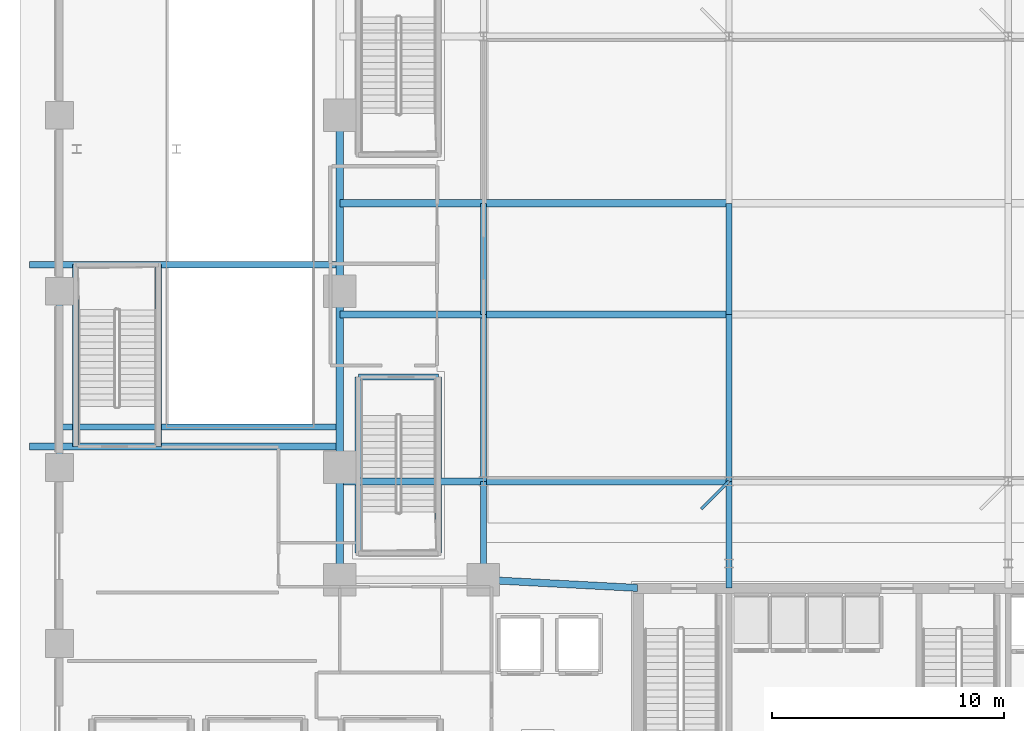
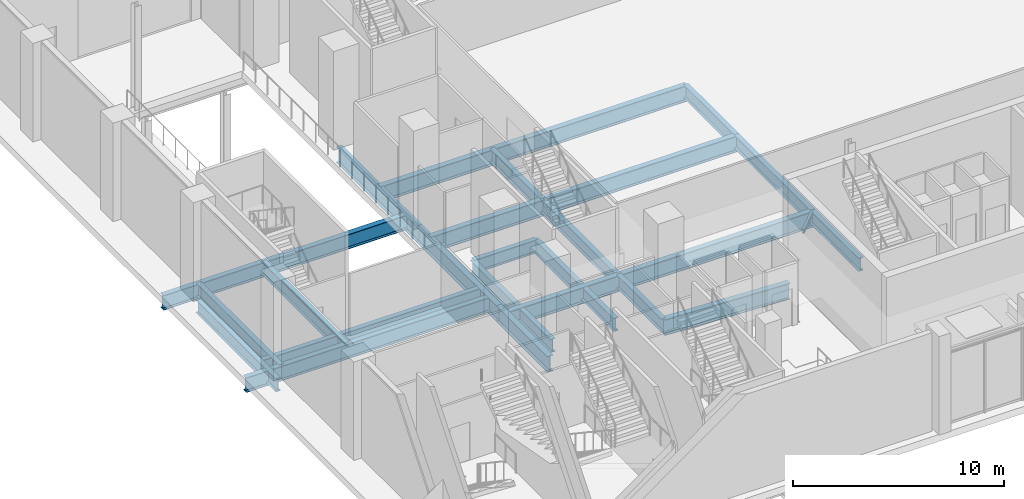
# One storey, part 7 of 36: 26 beams.
"""IFC4 building model written with IfcOpenShell, lengths in metres."""

import ifcopenshell
import ifcopenshell.guid

model = None  # the IFC model being written
_history = None  # IfcOwnerHistory: only IFC2X3 demands one
_inside = {}  # id of a spatial element -> (the spatial element, [elements in it])
_under = {}  # id of a project, library or spatial element -> (it, [spatial elements below it])
_declared = {}  # id of a project -> (the project, [libraries it declares])
_typed = {}  # id of a type object -> (the type object, [elements of that type])
_made_of = {}  # id of a material, layer set ... -> (it, [elements and type objects made of it])


def new_model(schema):
    """Start an empty IFC model of exactly this schema.

    Asked for "IFC4X3", IfcOpenShell would pick the latest addendum, in which some entities
    have other attributes; the version numbers below select the first issue.
    IFC2X3 requires an IfcOwnerHistory on every rooted entity: one is made here for all.
    """
    global model, _history
    if schema == "IFC4X3":
        model = ifcopenshell.file(schema_version=(4, 3, 0, 0))
    else:
        model = ifcopenshell.file(schema=schema)
    _inside.clear()
    _under.clear()
    _declared.clear()
    _typed.clear()
    _made_of.clear()
    _history = None
    if model.schema == "IFC2X3":
        org = make("IfcOrganization", Name="unknown")
        user = make(
            "IfcPersonAndOrganization",
            ThePerson=make("IfcPerson", FamilyName="unknown"),
            TheOrganization=org,
        )
        app = make(
            "IfcApplication",
            ApplicationDeveloper=org,
            Version="unknown",
            ApplicationFullName="unknown",
            ApplicationIdentifier="unknown",
        )
        _history = make(
            "IfcOwnerHistory",
            OwningUser=user,
            OwningApplication=app,
            ChangeAction="ADDED",
            CreationDate=0,
        )
    return model


def make(cls, **values):
    """One entity of the class cls with the attributes given. An attribute that is None is left unset."""
    return model.create_entity(
        cls, **{name: value for name, value in values.items() if value is not None}
    )


def rooted(cls, **values):
    """An entity with a GlobalId (a new one), such as an element, a storey or a relation."""
    return make(cls, GlobalId=ifcopenshell.guid.new(), OwnerHistory=_history, **values)


def si_unit(unit_type, name, prefix=None):
    """IfcSIUnit, for example si_unit("LENGTHUNIT", "METRE", prefix="MILLI")."""
    return make("IfcSIUnit", UnitType=unit_type, Prefix=prefix, Name=name)


def assignment(units):
    """IfcUnitAssignment: the units of a project."""
    return None if units is None else make("IfcUnitAssignment", Units=units)


def point(xyz):
    """IfcCartesianPoint."""
    return None if xyz is None else make("IfcCartesianPoint", Coordinates=xyz)


def direction(xyz):
    """IfcDirection."""
    return None if xyz is None else make("IfcDirection", DirectionRatios=xyz)


def frame(location, z_axis=None, x_axis=None):
    """IfcAxis2Placement3D, a coordinate frame: its origin and axes. An axis left out is left unset."""
    return make(
        "IfcAxis2Placement3D",
        Location=point(location),
        Axis=direction(z_axis),
        RefDirection=direction(x_axis),
    )


def frame_2d(location, x_axis=None):
    """IfcAxis2Placement2D, a coordinate frame in the plane: its origin and x axis."""
    return make(
        "IfcAxis2Placement2D", Location=point(location), RefDirection=direction(x_axis)
    )


def origin():
    """The frame at (0, 0, 0) with its axes left unset."""
    return frame((0.0, 0.0, 0.0))


def origin_2d():
    """The frame at (0, 0) in the plane with its x axis left unset."""
    return frame_2d((0.0, 0.0))


def place(relative_to, where):
    """IfcLocalPlacement: puts the frame where relative to a parent placement (None: the world)."""
    return make(
        "IfcLocalPlacement", PlacementRelTo=relative_to, RelativePlacement=where
    )


def context(
    kind, dimensions, precision=None, world=None, true_north=None, identifier=None
):
    """IfcGeometricRepresentationContext, for example the 3D "Model" context."""
    return make(
        "IfcGeometricRepresentationContext",
        ContextIdentifier=identifier,
        ContextType=kind,
        CoordinateSpaceDimension=dimensions,
        Precision=precision,
        WorldCoordinateSystem=world,
        TrueNorth=true_north,
    )


def subcontext(parent, identifier, kind, view, scale=None):
    """IfcGeometricRepresentationSubContext, for example "Body" below "Model"."""
    return make(
        "IfcGeometricRepresentationSubContext",
        ContextIdentifier=identifier,
        ContextType=kind,
        ParentContext=parent,
        TargetScale=scale,
        TargetView=view,
    )


def project(units=None, contexts=None):
    """IfcProject with its units and contexts."""
    return rooted(
        "IfcProject",
        Name="project",
        RepresentationContexts=contexts,
        UnitsInContext=assignment(units),
    )


def spatial(cls, under=None, at=None, **own):
    """A site, building, storey or space (cls), placed at a placement, below another one or the project."""
    s = rooted(cls, ObjectPlacement=at, **own)
    if under is not None:
        _under.setdefault(under.id(), (under, []))[1].append(s)
    return s


def profile(cls, at=None, kind="AREA", **sizes):
    """A parametric profile (cls). Its sizes go by their IFC names, for example OverallWidth=200.0."""
    return make(cls, ProfileType=kind, Position=at, **sizes)


def i_section(**sizes):
    """IfcIShapeProfileDef."""
    return profile("IfcIShapeProfileDef", **sizes)


def extrude(swept, where, along, depth):
    """IfcExtrudedAreaSolid: the profile swept, set in the frame where, extruded along a direction by depth."""
    return make(
        "IfcExtrudedAreaSolid",
        SweptArea=swept,
        Position=where,
        ExtrudedDirection=direction(along),
        Depth=depth,
    )


def shape(context_of_items, identifier, shape_type, items):
    """IfcShapeRepresentation: the items that make up one representation, for example the "Body"."""
    return make(
        "IfcShapeRepresentation",
        ContextOfItems=context_of_items,
        RepresentationIdentifier=identifier,
        RepresentationType=shape_type,
        Items=items,
    )


def material(Name=None, Category=None):
    """IfcMaterial."""
    return make("IfcMaterial", Name=Name, Category=Category)


def material_profile(
    of_material, cross_section, Name=None, Category=None, Priority=None
):
    """IfcMaterialProfile: a cross section and its material."""
    return make(
        "IfcMaterialProfile",
        Name=Name,
        Material=of_material,
        Profile=cross_section,
        Priority=Priority,
        Category=Category,
    )


def profile_set(profiles, Name=None, composite=None):
    """IfcMaterialProfileSet."""
    return make(
        "IfcMaterialProfileSet",
        Name=Name,
        MaterialProfiles=profiles,
        CompositeProfile=composite,
    )


def made_of(thing, what):
    """Note that an element or type object is made of a material, layer set ...; save() writes the relation."""
    if what is not None:
        _made_of.setdefault(what.id(), (what, []))[1].append(thing)
    return thing


def type_object(cls, material=None, **own):
    """A type object (cls), such as IfcWallType, which elements share."""
    return made_of(rooted(cls, **own), material)


def element(
    cls,
    number,
    at=None,
    inside=None,
    cuts=None,
    type_object=None,
    material=None,
    context=None,
    identifier="Body",
    shape_type=None,
    held_by="IfcProductDefinitionShape",
    body=None,
    shapes=None,
    **own,
):
    """One element of the class cls, such as IfcWall. Its Tag is "e" and its number.

    at: its placement. inside: the storey or other place that contains it. cuts: it is an
    opening in that element (IfcRelVoidsElement). A single representation is given by context,
    identifier, shape_type and body (its items); several are given by shapes. held_by: the class
    of the entity that holds the representations. save() writes the other relations.
    """
    e = rooted(cls, Tag="e%d" % number, ObjectPlacement=at, **own)
    if body is not None:
        shapes = [shape(context, identifier, shape_type, body)]
    if shapes is not None:
        e.Representation = make(held_by, Representations=shapes)
    if inside is not None:
        _inside.setdefault(inside.id(), (inside, []))[1].append(e)
    if cuts is not None:
        rooted(
            "IfcRelVoidsElement", RelatingBuildingElement=cuts, RelatedOpeningElement=e
        )
    if type_object is not None:
        _typed.setdefault(type_object.id(), (type_object, []))[1].append(e)
    return made_of(e, material)


def aggregate(whole, parts):
    """IfcRelAggregates: a whole, such as a stair, and the parts it consists of."""
    return rooted("IfcRelAggregates", RelatingObject=whole, RelatedObjects=parts)


def save(model, path):
    """Write the relations noted so far, then the file.

    IfcRelAggregates (storeys below a building ...), IfcRelContainedInSpatialStructure (elements
    in a storey), IfcRelDefinesByType, IfcRelAssociatesMaterial and IfcRelDeclares: one each for
    every whole, place, type object, material and project.
    """
    for whole, parts in _under.values():
        aggregate(whole, parts)
    for where, things in _inside.values():
        rooted(
            "IfcRelContainedInSpatialStructure",
            RelatedElements=things,
            RelatingStructure=where,
        )
    for kind, things in _typed.values():
        rooted("IfcRelDefinesByType", RelatedObjects=things, RelatingType=kind)
    for what, things in _made_of.values():
        rooted("IfcRelAssociatesMaterial", RelatedObjects=things, RelatingMaterial=what)
    for by, libraries in _declared.values():
        rooted("IfcRelDeclares", RelatingContext=by, RelatedDefinitions=libraries)
    model.write(path)


model = new_model("IFC4")

# Units and contexts
model_context = context("Model", 3, precision=1e-05, world=origin(), true_north=direction((0.0, 1.0)))
body_context = subcontext(model_context, "Body", "Model", "MODEL_VIEW")
ifc_project = project(units=[si_unit("LENGTHUNIT", "METRE"), si_unit("AREAUNIT", "SQUARE_METRE"), si_unit("VOLUMEUNIT", "CUBIC_METRE"), si_unit("PLANEANGLEUNIT", "RADIAN"), si_unit("MASSUNIT", "GRAM", prefix="KILO")], contexts=[model_context])

# Site, building, storey
site_placement = place(None, origin())
site = spatial("IfcSite", under=ifc_project, at=site_placement, CompositionType="ELEMENT")
building_placement = place(site_placement, origin())
building = spatial("IfcBuilding", under=site, at=building_placement, Name="Ndaravel Arena Tower", CompositionType="ELEMENT")
storey_placement = place(building_placement, origin())
storey = spatial("IfcBuildingStorey", under=building, at=storey_placement, Name="L00", CompositionType="ELEMENT", Elevation=0.0)

# Beams
ifc_material_1 = material(Name="Steel S355", Category="steel")
ifc_material_profile_1 = material_profile(ifc_material_1, i_section(OverallWidth=0.1201171875, OverallDepth=0.239990234375, WebThickness=0.006103515625, FlangeThickness=0.009765625, FilletRadius=0.014892578125, at=origin_2d()), Name="IPE 240")
ifc_profile_set_1 = profile_set([ifc_material_profile_1], Name="Steel S355")
beam_type_1 = type_object("IfcBeamType", Name="BM-LINTEL-IPE240", PredefinedType="LINTEL", material=ifc_profile_set_1)
beam_1_placement = place(storey_placement, frame((30.60009765625, 19.60009765625, -0.52001953125), z_axis=(-0.707106781187, -0.707106781187, 0.0), x_axis=(0.707106781187, -0.707106781187, 0.0)))
element("IfcBeam", 1, at=beam_1_placement, inside=storey, type_object=beam_type_1, Name="L00 South Stand Cradle Arm 1", PredefinedType="LINTEL", context=body_context, shape_type="SweptSolid", body=[
    extrude(i_section(OverallWidth=0.1201171875, OverallDepth=0.239990234375, WebThickness=0.006103515625, FlangeThickness=0.009765625, FilletRadius=0.014892578125, at=origin_2d()), origin(), (0.0, 0.0, 1.0), 1.697265625),
])
ifc_material_2 = material(Name="Steel S355", Category="steel")
ifc_material_profile_2 = material_profile(ifc_material_2, i_section(OverallWidth=0.26806640625, OverallDepth=0.769775390625, WebThickness=0.015625, FlangeThickness=0.025390625, FilletRadius=0.0166015625, at=origin_2d()), Name="UB 762x267x197")
ifc_profile_set_2 = profile_set([ifc_material_profile_2], Name="Steel S355")
beam_type_2 = type_object("IfcBeamType", Name="BM-POD-UB762", PredefinedType="BEAM", material=ifc_profile_set_2)
beam_2_placement = place(storey_placement, frame((20.0, 15.35009765625, -0.784912109375), z_axis=(0.0, 1.0, 0.0), x_axis=(-1.0, 0.0, 0.0)))
element("IfcBeam", 2, at=beam_2_placement, inside=storey, type_object=beam_type_2, Name="L00 Sub-Court Tie 1.15", PredefinedType="BEAM", context=body_context, shape_type="SweptSolid", body=[
    extrude(i_section(OverallWidth=0.26806640625, OverallDepth=0.769775390625, WebThickness=0.015625, FlangeThickness=0.025390625, FilletRadius=0.0166015625, at=origin_2d()), origin(), (0.0, 0.0, 1.0), 4.25),
])
beam_3_placement = place(storey_placement, frame((20.0, 19.60009765625, -0.784912109375), z_axis=(0.0, 1.0, 0.0), x_axis=(-1.0, 0.0, 0.0)))
element("IfcBeam", 3, at=beam_3_placement, inside=storey, type_object=beam_type_2, Name="L00 Sub-Court Tie 1.19", PredefinedType="BEAM", context=body_context, shape_type="SweptSolid", body=[
    extrude(i_section(OverallWidth=0.26806640625, OverallDepth=0.769775390625, WebThickness=0.015625, FlangeThickness=0.025390625, FilletRadius=0.0166015625, at=origin_2d()), origin(), (0.0, 0.0, 1.0), 7.199951171875),
])
beam_4_placement = place(storey_placement, frame((20.0, 26.800048828125, -0.784912109375), z_axis=(0.0, 1.0, 0.0), x_axis=(-1.0, 0.0, 0.0)))
element("IfcBeam", 4, at=beam_4_placement, inside=storey, type_object=beam_type_2, Name="L00 Sub-Court Tie 1.26", PredefinedType="BEAM", context=body_context, shape_type="SweptSolid", body=[
    extrude(i_section(OverallWidth=0.26806640625, OverallDepth=0.769775390625, WebThickness=0.015625, FlangeThickness=0.025390625, FilletRadius=0.0166015625, at=origin_2d()), origin(), (0.0, 0.0, 1.0), 4.800048828125),
])
beam_5_placement = place(storey_placement, frame((30.60009765625, 15.0, -0.784912109375), z_axis=(0.0, 1.0, 0.0), x_axis=(-1.0, 0.0, 0.0)))
element("IfcBeam", 5, at=beam_5_placement, inside=storey, type_object=beam_type_2, Name="L00 Sub-Court Tie 2.15", PredefinedType="BEAM", context=body_context, shape_type="SweptSolid", body=[
    extrude(i_section(OverallWidth=0.26806640625, OverallDepth=0.769775390625, WebThickness=0.015625, FlangeThickness=0.025390625, FilletRadius=0.0166015625, at=origin_2d()), origin(), (0.0, 0.0, 1.0), 4.60009765625),
])
beam_6_placement = place(storey_placement, frame((30.60009765625, 19.60009765625, -0.784912109375), z_axis=(0.0, 1.0, 0.0), x_axis=(-1.0, 0.0, 0.0)))
element("IfcBeam", 6, at=beam_6_placement, inside=storey, type_object=beam_type_2, Name="L00 Sub-Court Tie 2.19", PredefinedType="BEAM", context=body_context, shape_type="SweptSolid", body=[
    extrude(i_section(OverallWidth=0.26806640625, OverallDepth=0.769775390625, WebThickness=0.015625, FlangeThickness=0.025390625, FilletRadius=0.0166015625, at=origin_2d()), origin(), (0.0, 0.0, 1.0), 7.199951171875),
])
beam_7_placement = place(storey_placement, frame((30.60009765625, 26.800048828125, -0.784912109375), z_axis=(0.0, 1.0, 0.0), x_axis=(-1.0, 0.0, 0.0)))
element("IfcBeam", 7, at=beam_7_placement, inside=storey, type_object=beam_type_2, Name="L00 Sub-Court Tie 2.26", PredefinedType="BEAM", context=body_context, shape_type="SweptSolid", body=[
    extrude(i_section(OverallWidth=0.26806640625, OverallDepth=0.769775390625, WebThickness=0.015625, FlangeThickness=0.025390625, FilletRadius=0.0166015625, at=origin_2d()), origin(), (0.0, 0.0, 1.0), 4.800048828125),
])
beam_8_placement = place(storey_placement, frame((1.699951171875, 20.199951171875, -0.784912109375), z_axis=(0.0, 1.0, 0.0), x_axis=(-1.0, 0.0, 0.0)))
element("IfcBeam", 8, at=beam_8_placement, inside=storey, type_object=beam_type_2, Name="L00 West Ramp Outer Edge Girder", PredefinedType="BEAM", context=body_context, shape_type="SweptSolid", body=[
    extrude(i_section(OverallWidth=0.26806640625, OverallDepth=0.769775390625, WebThickness=0.015625, FlangeThickness=0.025390625, FilletRadius=0.0166015625, at=origin_2d()), origin(), (0.0, 0.0, 1.0), 7.60009765625),
])
beam_9_placement = place(storey_placement, frame((1.699951171875, 21.949951171875, -0.784912109375), z_axis=(1.0, 0.0, 0.0), x_axis=(0.0, 1.0, 0.0)))
element("IfcBeam", 9, at=beam_9_placement, inside=storey, type_object=beam_type_2, Name="L00 Car Ramp South Header Girder", PredefinedType="BEAM", context=body_context, shape_type="SweptSolid", body=[
    extrude(i_section(OverallWidth=0.26806640625, OverallDepth=0.769775390625, WebThickness=0.015625, FlangeThickness=0.025390625, FilletRadius=0.0166015625, at=origin_2d()), origin(), (0.0, 0.0, 1.0), 12.10009765625),
])
for number, where, z_axis, x_axis, name in (
    (10, (2.39990234375, 21.10009765625, -0.784912109375), (0.0, 1.0, 0.0), (-1.0, 0.0, 0.0), "L00 Stair ST-A07 Side Carrier Beam 1"),
    (11, (5.97998046875, 21.10009765625, -0.784912109375), (0.0, 1.0, 0.0), (-1.0, 0.0, 0.0), "L00 Stair ST-A07 Side Carrier Beam 2"),
):
    element("IfcBeam", number, at=place(storey_placement, frame(where, z_axis=z_axis, x_axis=x_axis)), inside=storey, type_object=beam_type_2, Name=name, PredefinedType="BEAM", context=body_context, shape_type="SweptSolid", body=[
        extrude(i_section(OverallWidth=0.26806640625, OverallDepth=0.769775390625, WebThickness=0.015625, FlangeThickness=0.025390625, FilletRadius=0.0166015625, at=origin_2d()), origin(), (0.0, 0.0, 1.0), 7.849853515625),
    ])
for number, where, z_axis, x_axis, name in (
    (12, (14.60009765625, 16.5, -0.784912109375), (0.0, 1.0, 0.0), (-1.0, 0.0, 0.0), "L00 Stair ST-VOM-1 Vomitory Side Beam 1"),
    (13, (18.06005859375, 16.5, -0.784912109375), (0.0, 1.0, 0.0), (-1.0, 0.0, 0.0), "L00 Stair ST-VOM-1 Vomitory Side Beam 2"),
):
    element("IfcBeam", number, at=place(storey_placement, frame(where, z_axis=z_axis, x_axis=x_axis)), inside=storey, type_object=beam_type_2, Name=name, PredefinedType="BEAM", context=body_context, shape_type="SweptSolid", body=[
        extrude(i_section(OverallWidth=0.26806640625, OverallDepth=0.769775390625, WebThickness=0.015625, FlangeThickness=0.025390625, FilletRadius=0.0166015625, at=origin_2d()), origin(), (0.0, 0.0, 1.0), 7.60009765625),
    ])
beam_10_placement = place(storey_placement, frame((14.60009765625, 24.10009765625, -0.784912109375), z_axis=(1.0, 0.0, 0.0), x_axis=(0.0, 1.0, 0.0)))
element("IfcBeam", 14, at=beam_10_placement, inside=storey, type_object=beam_type_2, Name="L00 Stair ST-VOM-1 Vomitory End Beam 2", PredefinedType="BEAM", context=body_context, shape_type="SweptSolid", body=[
    extrude(i_section(OverallWidth=0.26806640625, OverallDepth=0.769775390625, WebThickness=0.015625, FlangeThickness=0.025390625, FilletRadius=0.0166015625, at=origin_2d()), origin(), (0.0, 0.0, 1.0), 3.4599609375),
])
ifc_material_3 = material(Name="Steel S355", Category="steel")
ifc_material_profile_3 = material_profile(ifc_material_3, i_section(OverallWidth=0.293701171875, OverallDepth=0.850830078125, WebThickness=0.01611328125, FlangeThickness=0.02685546875, FilletRadius=0.017822265625, at=origin_2d()), Name="UB 838x292x226")
ifc_profile_set_3 = profile_set([ifc_material_profile_3], Name="Steel S355")
beam_type_3 = type_object("IfcBeamType", Name="BM-POD-UB838", PredefinedType="BEAM", material=ifc_profile_set_3)
for number, where, z_axis, x_axis, name in (
    (15, (0.39990234375, 21.10009765625, -0.825439453125), (1.0, 0.0, 0.0), (0.0, 1.0, 0.0), "L00 Stair ST-A07 Cross Carrier Girder 1"),
    (16, (0.39990234375, 28.949951171875, -0.825439453125), (1.0, 0.0, 0.0), (0.0, 1.0, 0.0), "L00 Stair ST-A07 Cross Carrier Girder 2"),
):
    element("IfcBeam", number, at=place(storey_placement, frame(where, z_axis=z_axis, x_axis=x_axis)), inside=storey, type_object=beam_type_3, Name=name, PredefinedType="BEAM", context=body_context, shape_type="SweptSolid", body=[
        extrude(i_section(OverallWidth=0.293701171875, OverallDepth=0.850830078125, WebThickness=0.01611328125, FlangeThickness=0.02685546875, FilletRadius=0.017822265625, at=origin_2d()), origin(), (0.0, 0.0, 1.0), 13.400146484375),
    ])
ifc_material_4 = material(Name="Steel S355", Category="steel")
ifc_material_profile_4 = material_profile(ifc_material_4, i_section(OverallWidth=0.3076171875, OverallDepth=0.926513671875, WebThickness=0.01953125, FlangeThickness=0.031982421875, FilletRadius=0.01904296875, at=origin_2d()), Name="UB 914x305x289")
ifc_profile_set_4 = profile_set([ifc_material_profile_4], Name="Steel S355")
beam_type_4 = type_object("IfcBeamType", Name="BM-POD-UB914B", PredefinedType="BEAM", material=ifc_profile_set_4)
beam_11_placement = place(storey_placement, frame((13.800048828125, 15.35009765625, -0.86328125), z_axis=(0.0, 1.0, 0.0), x_axis=(-1.0, 0.0, 0.0)))
element("IfcBeam", 17, at=beam_11_placement, inside=storey, type_object=beam_type_4, Name="L00 Arena Ring Girder 01", PredefinedType="BEAM", context=body_context, shape_type="SweptSolid", body=[
    extrude(i_section(OverallWidth=0.3076171875, OverallDepth=0.926513671875, WebThickness=0.01953125, FlangeThickness=0.031982421875, FilletRadius=0.01904296875, at=origin_2d()), origin(), (0.0, 0.0, 1.0), 4.849853515625),
])
beam_12_placement = place(storey_placement, frame((13.800048828125, 20.199951171875, -0.86328125), z_axis=(0.0, 1.0, 0.0), x_axis=(-1.0, 0.0, 0.0)))
element("IfcBeam", 18, at=beam_12_placement, inside=storey, type_object=beam_type_4, Name="L00 Arena Ring Girder 02", PredefinedType="BEAM", context=body_context, shape_type="SweptSolid", body=[
    extrude(i_section(OverallWidth=0.3076171875, OverallDepth=0.926513671875, WebThickness=0.01953125, FlangeThickness=0.031982421875, FilletRadius=0.01904296875, at=origin_2d()), origin(), (0.0, 0.0, 1.0), 7.60009765625),
])
beam_13_placement = place(storey_placement, frame((13.800048828125, 27.800048828125, -0.86328125), z_axis=(0.0, 1.0, 0.0), x_axis=(-1.0, 0.0, 0.0)))
element("IfcBeam", 19, at=beam_13_placement, inside=storey, type_object=beam_type_4, Name="L00 Arena Ring Girder 03", PredefinedType="BEAM", context=body_context, shape_type="SweptSolid", body=[
    extrude(i_section(OverallWidth=0.3076171875, OverallDepth=0.926513671875, WebThickness=0.01953125, FlangeThickness=0.031982421875, FilletRadius=0.01904296875, at=origin_2d()), origin(), (0.0, 0.0, 1.0), 7.599853515625),
])
beam_14_placement = place(storey_placement, frame((20.0, 15.35009765625, -0.86328125), z_axis=(0.99861701899, -0.052574227375, 0.0), x_axis=(0.052574227375, 0.99861701899, 0.0)))
element("IfcBeam", 20, at=beam_14_placement, inside=storey, type_object=beam_type_4, Name="L00 Arena Ring Girder 18", PredefinedType="BEAM", context=body_context, shape_type="SweptSolid", body=[
    extrude(i_section(OverallWidth=0.3076171875, OverallDepth=0.926513671875, WebThickness=0.01953125, FlangeThickness=0.031982421875, FilletRadius=0.01904296875, at=origin_2d()), origin(), (0.0, 0.0, 1.0), 6.6591796875),
])
beam_15_placement = place(storey_placement, frame((13.800048828125, 19.60009765625, -0.86328125), z_axis=(1.0, 0.0, 0.0), x_axis=(0.0, 1.0, 0.0)))
element("IfcBeam", 21, at=beam_15_placement, inside=storey, type_object=beam_type_4, Name="L00 Sub-Court Girder 1.1", PredefinedType="BEAM", context=body_context, shape_type="SweptSolid", body=[
    extrude(i_section(OverallWidth=0.3076171875, OverallDepth=0.926513671875, WebThickness=0.01953125, FlangeThickness=0.031982421875, FilletRadius=0.01904296875, at=origin_2d()), origin(), (0.0, 0.0, 1.0), 6.199951171875),
])
beam_16_placement = place(storey_placement, frame((20.0, 19.60009765625, -0.86328125), z_axis=(1.0, 0.0, 0.0), x_axis=(0.0, 1.0, 0.0)))
element("IfcBeam", 22, at=beam_16_placement, inside=storey, type_object=beam_type_4, Name="L00 Sub-Court Girder 1.2", PredefinedType="BEAM", context=body_context, shape_type="SweptSolid", body=[
    extrude(i_section(OverallWidth=0.3076171875, OverallDepth=0.926513671875, WebThickness=0.01953125, FlangeThickness=0.031982421875, FilletRadius=0.01904296875, at=origin_2d()), origin(), (0.0, 0.0, 1.0), 10.60009765625),
])
beam_17_placement = place(storey_placement, frame((13.800048828125, 26.800048828125, -0.86328125), z_axis=(1.0, 0.0, 0.0), x_axis=(0.0, 1.0, 0.0)))
element("IfcBeam", 23, at=beam_17_placement, inside=storey, type_object=beam_type_4, Name="L00 Sub-Court Girder 2.1", PredefinedType="BEAM", context=body_context, shape_type="SweptSolid", body=[
    extrude(i_section(OverallWidth=0.3076171875, OverallDepth=0.926513671875, WebThickness=0.01953125, FlangeThickness=0.031982421875, FilletRadius=0.01904296875, at=origin_2d()), origin(), (0.0, 0.0, 1.0), 6.199951171875),
])
beam_18_placement = place(storey_placement, frame((20.0, 26.800048828125, -0.86328125), z_axis=(1.0, 0.0, 0.0), x_axis=(0.0, 1.0, 0.0)))
element("IfcBeam", 24, at=beam_18_placement, inside=storey, type_object=beam_type_4, Name="L00 Sub-Court Girder 2.2", PredefinedType="BEAM", context=body_context, shape_type="SweptSolid", body=[
    extrude(i_section(OverallWidth=0.3076171875, OverallDepth=0.926513671875, WebThickness=0.01953125, FlangeThickness=0.031982421875, FilletRadius=0.01904296875, at=origin_2d()), origin(), (0.0, 0.0, 1.0), 10.60009765625),
])
beam_19_placement = place(storey_placement, frame((13.800048828125, 31.60009765625, -0.86328125), z_axis=(1.0, 0.0, 0.0), x_axis=(0.0, 1.0, 0.0)))
element("IfcBeam", 25, at=beam_19_placement, inside=storey, type_object=beam_type_4, Name="L00 Sub-Court Girder 3.1", PredefinedType="BEAM", context=body_context, shape_type="SweptSolid", body=[
    extrude(i_section(OverallWidth=0.3076171875, OverallDepth=0.926513671875, WebThickness=0.01953125, FlangeThickness=0.031982421875, FilletRadius=0.01904296875, at=origin_2d()), origin(), (0.0, 0.0, 1.0), 6.199951171875),
])
beam_20_placement = place(storey_placement, frame((20.0, 31.60009765625, -0.86328125), z_axis=(1.0, 0.0, 0.0), x_axis=(0.0, 1.0, 0.0)))
element("IfcBeam", 26, at=beam_20_placement, inside=storey, type_object=beam_type_4, Name="L00 Sub-Court Girder 3.2", PredefinedType="BEAM", context=body_context, shape_type="SweptSolid", body=[
    extrude(i_section(OverallWidth=0.3076171875, OverallDepth=0.926513671875, WebThickness=0.01953125, FlangeThickness=0.031982421875, FilletRadius=0.01904296875, at=origin_2d()), origin(), (0.0, 0.0, 1.0), 10.60009765625),
])

save(model, "model.ifc")
